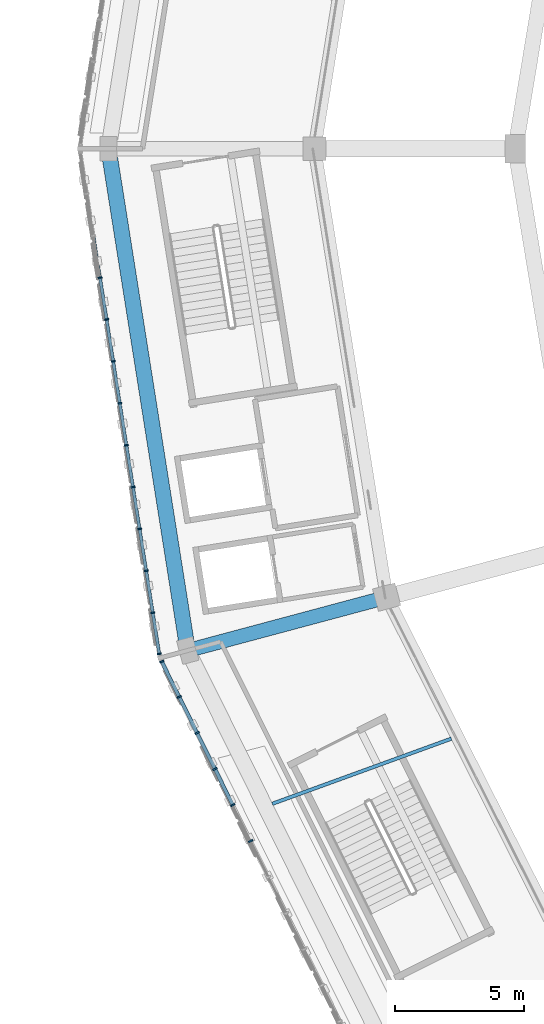
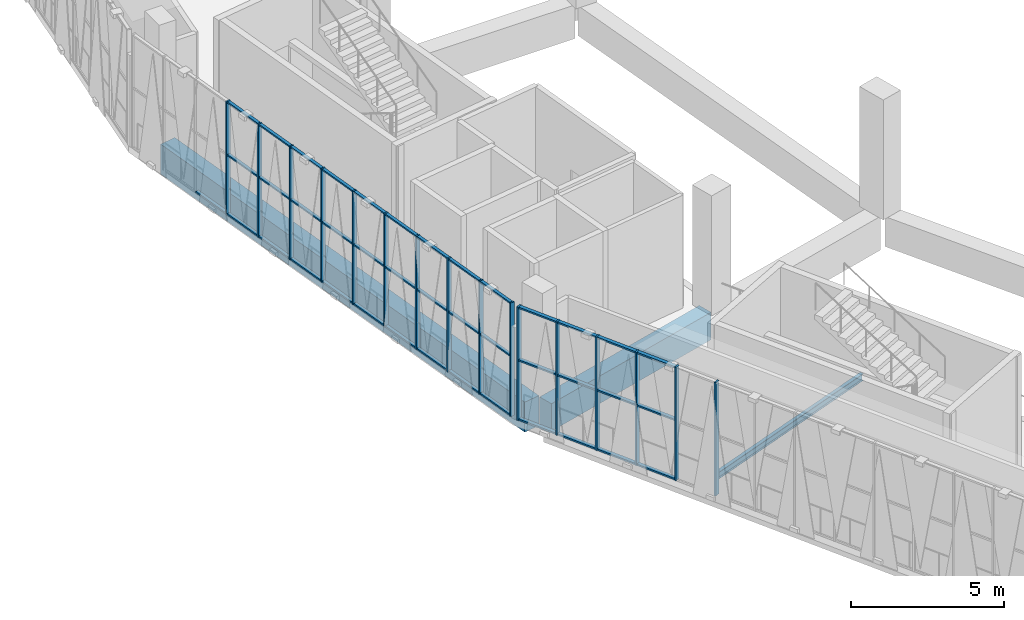
# One storey, part 12 of 108: 56 members, 3 beams, 2 elements without a shape of their own.
"""IFC4 building model written with IfcOpenShell, lengths in metres."""

from ifc_helpers import new_model, si_unit, direction, frame, origin, origin_2d, place, context, subcontext, project, spatial, rectangle, i_section, extrude, material, material_profile, profile_set, type_object, element, aggregate, save


model = new_model("IFC4")

# Units and contexts
model_context = context("Model", 3, precision=1e-05, world=origin(), true_north=direction((0.0, 1.0)))
body_context = subcontext(model_context, "Body", "Model", "MODEL_VIEW")
ifc_project = project(units=[si_unit("LENGTHUNIT", "METRE"), si_unit("AREAUNIT", "SQUARE_METRE"), si_unit("VOLUMEUNIT", "CUBIC_METRE"), si_unit("PLANEANGLEUNIT", "RADIAN"), si_unit("MASSUNIT", "GRAM", prefix="KILO")], contexts=[model_context])

# Site, building, storey
site_placement = place(None, origin())
site = spatial("IfcSite", under=ifc_project, at=site_placement, CompositionType="ELEMENT")
building_placement = place(site_placement, origin())
building = spatial("IfcBuilding", under=site, at=building_placement, Name="Zevraka Park Crest Stadium", CompositionType="ELEMENT")
storey_placement = place(building_placement, frame((0.0, 0.0, 19.800048828125)))
storey = spatial("IfcBuildingStorey", under=building, at=storey_placement, Name="L04", CompositionType="ELEMENT", Elevation=19.800048828125)

# Beam
ifc_material_1 = material(Name="Concrete C40/50", Category="concrete")
ifc_material_profile_1 = material_profile(ifc_material_1, rectangle(XDim=0.550048828125, YDim=1.10009765625, at=origin_2d()), Name="RC 1100x550")
ifc_profile_set_1 = profile_set([ifc_material_profile_1], Name="Concrete C40/50")
beam_type_1 = type_object("IfcBeamType", Name="BG02", PredefinedType="BEAM", material=ifc_profile_set_1)
beam_1_placement = place(storey_placement, frame((32.214111328125, 74.5029296875, -0.56005859375), z_axis=(-0.965968812251, -0.258658565986, 0.0), x_axis=(0.258658565986, -0.965968812251, 0.0)))
element("IfcBeam", 1, at=beam_1_placement, inside=storey, type_object=beam_type_1, Name="Radial Girder BG02 L04-CD-13", PredefinedType="BEAM", context=body_context, shape_type="SweptSolid", body=[
    extrude(rectangle(XDim=0.550048828125, YDim=1.10009765625, at=origin_2d()), origin(), (0.0, 0.0, 1.0), 7.39892578125),
])

# Curtain wall, members
ifc_material_2 = material(Name="Anodised architectural aluminium and laminated safety glass", Category="aluminium")
curtain_wall_type_1 = type_object("IfcCurtainWallType", Name="CW16", PredefinedType="NOTDEFINED", material=ifc_material_2)
curtain_wall_1_placement = place(storey_placement, origin())
curtain_wall_1 = element("IfcCurtainWall", 2, at=curtain_wall_1_placement, inside=storey, type_object=curtain_wall_type_1, Name="Unitised Ring Curtain Wall CW16 L04-12", PredefinedType="NOTDEFINED")
ifc_material_3 = material(Name="Anodised architectural aluminium", Category="aluminium")
ifc_material_profile_2 = material_profile(ifc_material_3, rectangle(XDim=0.159912109375, YDim=0.06005859375, at=origin_2d()), Name="ALU MULLION 160x60")
ifc_profile_set_2 = profile_set([ifc_material_profile_2], Name="Anodised architectural aluminium")
member_type_1 = type_object("IfcMemberType", Name="CM01", PredefinedType="MULLION", material=ifc_profile_set_2)
member_1_placement = place(storey_placement, frame((21.369384765625, 86.9931640625, 0.0), z_axis=(0.0, 0.0, 1.0), x_axis=(0.987829746281, 0.155539038066, 0.0)))
member_1 = element("IfcMember", 3, at=member_1_placement, type_object=member_type_1, Name="CW16 mullion 4", PredefinedType="MULLION", context=body_context, shape_type="SweptSolid", body=[
    extrude(rectangle(XDim=0.159912109375, YDim=0.06005859375, at=origin_2d()), origin(), (0.0, 0.0, 1.0), 4.5400390625),
])
member_2_placement = place(storey_placement, frame((21.625732421875, 85.366455078125, 0.0), z_axis=(0.0, 0.0, 1.0), x_axis=(0.987829746281, 0.155539038066, 0.0)))
member_2 = element("IfcMember", 4, at=member_2_placement, type_object=member_type_1, Name="CW16 mullion 5", PredefinedType="MULLION", context=body_context, shape_type="SweptSolid", body=[
    extrude(rectangle(XDim=0.159912109375, YDim=0.06005859375, at=origin_2d()), origin(), (0.0, 0.0, 1.0), 4.5400390625),
])
member_3_placement = place(storey_placement, frame((21.8818359375, 83.739501953125, 0.0), z_axis=(0.0, 0.0, 1.0), x_axis=(0.987829746281, 0.155539038066, 0.0)))
member_3 = element("IfcMember", 5, at=member_3_placement, type_object=member_type_1, Name="CW16 mullion 6", PredefinedType="MULLION", context=body_context, shape_type="SweptSolid", body=[
    extrude(rectangle(XDim=0.159912109375, YDim=0.06005859375, at=origin_2d()), origin(), (0.0, 0.0, 1.0), 4.5400390625),
])
member_4_placement = place(storey_placement, frame((22.137939453125, 82.112548828125, 0.0), z_axis=(0.0, 0.0, 1.0), x_axis=(0.987829746281, 0.155539038066, 0.0)))
member_4 = element("IfcMember", 6, at=member_4_placement, type_object=member_type_1, Name="CW16 mullion 7", PredefinedType="MULLION", context=body_context, shape_type="SweptSolid", body=[
    extrude(rectangle(XDim=0.159912109375, YDim=0.06005859375, at=origin_2d()), origin(), (0.0, 0.0, 1.0), 4.5400390625),
])
member_5_placement = place(storey_placement, frame((22.394287109375, 80.485595703125, 0.0), z_axis=(0.0, 0.0, 1.0), x_axis=(0.987829746281, 0.155539038066, 0.0)))
member_5 = element("IfcMember", 7, at=member_5_placement, type_object=member_type_1, Name="CW16 mullion 8", PredefinedType="MULLION", context=body_context, shape_type="SweptSolid", body=[
    extrude(rectangle(XDim=0.159912109375, YDim=0.06005859375, at=origin_2d()), origin(), (0.0, 0.0, 1.0), 4.5400390625),
])
member_6_placement = place(storey_placement, frame((22.650390625, 78.858642578125, 0.0), z_axis=(0.0, 0.0, 1.0), x_axis=(0.987829746281, 0.155539038066, 0.0)))
member_6 = element("IfcMember", 8, at=member_6_placement, type_object=member_type_1, Name="CW16 mullion 9", PredefinedType="MULLION", context=body_context, shape_type="SweptSolid", body=[
    extrude(rectangle(XDim=0.159912109375, YDim=0.06005859375, at=origin_2d()), origin(), (0.0, 0.0, 1.0), 4.5400390625),
])
member_7_placement = place(storey_placement, frame((22.906494140625, 77.231689453125, 0.0), z_axis=(0.0, 0.0, 1.0), x_axis=(0.987829746281, 0.155539038066, 0.0)))
member_7 = element("IfcMember", 9, at=member_7_placement, type_object=member_type_1, Name="CW16 mullion 10", PredefinedType="MULLION", context=body_context, shape_type="SweptSolid", body=[
    extrude(rectangle(XDim=0.159912109375, YDim=0.06005859375, at=origin_2d()), origin(), (0.0, 0.0, 1.0), 4.5400390625),
])
member_8_placement = place(storey_placement, frame((23.16259765625, 75.604736328125, 0.0), z_axis=(0.0, 0.0, 1.0), x_axis=(0.987829746281, 0.155539038066, 0.0)))
member_8 = element("IfcMember", 10, at=member_8_placement, type_object=member_type_1, Name="CW16 mullion 11", PredefinedType="MULLION", context=body_context, shape_type="SweptSolid", body=[
    extrude(rectangle(XDim=0.159912109375, YDim=0.06005859375, at=origin_2d()), origin(), (0.0, 0.0, 1.0), 4.5400390625),
])
member_9_placement = place(storey_placement, frame((23.4189453125, 73.97802734375, 0.0), z_axis=(0.0, 0.0, 1.0), x_axis=(0.987829746281, 0.155539038066, 0.0)))
member_9 = element("IfcMember", 11, at=member_9_placement, type_object=member_type_1, Name="CW16 mullion 12", PredefinedType="MULLION", context=body_context, shape_type="SweptSolid", body=[
    extrude(rectangle(XDim=0.159912109375, YDim=0.06005859375, at=origin_2d()), origin(), (0.0, 0.0, 1.0), 4.5400390625),
])
member_10_placement = place(storey_placement, frame((23.67041015625, 72.380615234375, 0.0), z_axis=(0.0, 0.0, 1.0), x_axis=(0.987829746281, 0.155539038066, 0.0)))
member_10 = element("IfcMember", 12, at=member_10_placement, type_object=member_type_1, Name="CW16 mullion 13", PredefinedType="MULLION", context=body_context, shape_type="SweptSolid", body=[
    extrude(rectangle(XDim=0.159912109375, YDim=0.06005859375, at=origin_2d()), origin(), (0.0, 0.0, 1.0), 4.5400390625),
])

ifc_material_4 = material(Name="Anodised architectural aluminium and laminated safety glass", Category="aluminium")
curtain_wall_type_2 = type_object("IfcCurtainWallType", Name="CW17", PredefinedType="NOTDEFINED", material=ifc_material_4)
curtain_wall_2_placement = place(storey_placement, origin())
curtain_wall_2 = element("IfcCurtainWall", 13, at=curtain_wall_2_placement, inside=storey, type_object=curtain_wall_type_2, Name="Unitised Ring Curtain Wall CW17 L04-13", PredefinedType="NOTDEFINED")
ifc_material_5 = material(Name="Anodised architectural aluminium", Category="aluminium")
ifc_material_profile_3 = material_profile(ifc_material_5, rectangle(XDim=0.179931640625, YDim=0.06494140625, at=origin_2d()), Name="ALU MULLION 180x65")
ifc_profile_set_3 = profile_set([ifc_material_profile_3], Name="Anodised architectural aluminium")
member_type_2 = type_object("IfcMemberType", Name="CM02", PredefinedType="MULLION", material=ifc_profile_set_3)
member_11_placement = place(storey_placement, frame((23.766357421875, 72.080810546875, 0.0), z_axis=(0.0, 0.0, 1.0), x_axis=(0.896046076106, 0.443961067545, 0.0)))
member_11 = element("IfcMember", 14, at=member_11_placement, type_object=member_type_2, Name="CW17 mullion 1", PredefinedType="MULLION", context=body_context, shape_type="SweptSolid", body=[
    extrude(rectangle(XDim=0.179931640625, YDim=0.06494140625, at=origin_2d()), origin(), (0.0, 0.0, 1.0), 4.5400390625),
])
member_12_placement = place(storey_placement, frame((24.445556640625, 70.7099609375, 0.0), z_axis=(0.0, 0.0, 1.0), x_axis=(0.896046076106, 0.443961067545, 0.0)))
member_12 = element("IfcMember", 15, at=member_12_placement, type_object=member_type_2, Name="CW17 mullion 2", PredefinedType="MULLION", context=body_context, shape_type="SweptSolid", body=[
    extrude(rectangle(XDim=0.179931640625, YDim=0.06494140625, at=origin_2d()), origin(), (0.0, 0.0, 1.0), 4.5400390625),
])
member_13_placement = place(storey_placement, frame((25.13916015625, 69.31005859375, 0.0), z_axis=(0.0, 0.0, 1.0), x_axis=(0.896046076106, 0.443961067545, 0.0)))
member_13 = element("IfcMember", 16, at=member_13_placement, type_object=member_type_2, Name="CW17 mullion 3", PredefinedType="MULLION", context=body_context, shape_type="SweptSolid", body=[
    extrude(rectangle(XDim=0.179931640625, YDim=0.06494140625, at=origin_2d()), origin(), (0.0, 0.0, 1.0), 4.5400390625),
])
member_14_placement = place(storey_placement, frame((25.832763671875, 67.91015625, 0.0), z_axis=(0.0, 0.0, 1.0), x_axis=(0.896046076106, 0.443961067545, 0.0)))
member_14 = element("IfcMember", 17, at=member_14_placement, type_object=member_type_2, Name="CW17 mullion 4", PredefinedType="MULLION", context=body_context, shape_type="SweptSolid", body=[
    extrude(rectangle(XDim=0.179931640625, YDim=0.06494140625, at=origin_2d()), origin(), (0.0, 0.0, 1.0), 4.5400390625),
])
member_15_placement = place(storey_placement, frame((26.5263671875, 66.51025390625, 0.0), z_axis=(0.0, 0.0, 1.0), x_axis=(0.896046076106, 0.443961067545, 0.0)))
member_15 = element("IfcMember", 18, at=member_15_placement, type_object=member_type_2, Name="CW17 mullion 5", PredefinedType="MULLION", context=body_context, shape_type="SweptSolid", body=[
    extrude(rectangle(XDim=0.179931640625, YDim=0.06494140625, at=origin_2d()), origin(), (0.0, 0.0, 1.0), 4.5400390625),
])
member_16_placement = place(storey_placement, frame((27.219970703125, 65.1103515625, 0.0), z_axis=(0.0, 0.0, 1.0), x_axis=(0.896046076106, 0.443961067545, 0.0)))
member_16 = element("IfcMember", 19, at=member_16_placement, type_object=member_type_2, Name="CW17 mullion 6", PredefinedType="MULLION", context=body_context, shape_type="SweptSolid", body=[
    extrude(rectangle(XDim=0.179931640625, YDim=0.06494140625, at=origin_2d()), origin(), (0.0, 0.0, 1.0), 4.5400390625),
])

# Member
ifc_material_6 = material(Name="Anodised architectural aluminium", Category="aluminium")
ifc_material_profile_4 = material_profile(ifc_material_6, rectangle(XDim=0.1201171875, YDim=0.06005859375, at=origin_2d()), Name="ALU TRANSOM 120x60")
ifc_profile_set_4 = profile_set([ifc_material_profile_4], Name="Anodised architectural aluminium")
member_type_3 = type_object("IfcMemberType", Name="CT01", PredefinedType="USERDEFINED", material=ifc_profile_set_4)
member_17_placement = place(storey_placement, frame((21.117919921875, 88.590576171875, 0.030029296875), z_axis=(0.155535954577, -0.987830231788, 0.0), x_axis=(0.987830231788, 0.155535954577, 0.0)))
member_17 = element("IfcMember", 20, at=member_17_placement, type_object=member_type_3, Name="CW16 transom 3.1", ObjectType="TRANSOM", PredefinedType="USERDEFINED", context=body_context, shape_type="SweptSolid", body=[
    extrude(rectangle(XDim=0.1201171875, YDim=0.06005859375, at=origin_2d()), origin(), (0.0, 0.0, 1.0), 1.5869140625),
])

member_18_placement = place(storey_placement, frame((21.374267578125, 86.963623046875, 0.030029296875), z_axis=(0.155535954577, -0.987830231788, 0.0), x_axis=(0.987830231788, 0.155535954577, 0.0)))
member_18 = element("IfcMember", 21, at=member_18_placement, type_object=member_type_3, Name="CW16 transom 4.1", ObjectType="TRANSOM", PredefinedType="USERDEFINED", context=body_context, shape_type="SweptSolid", body=[
    extrude(rectangle(XDim=0.1201171875, YDim=0.06005859375, at=origin_2d()), origin(), (0.0, 0.0, 1.0), 1.5869140625),
])

member_19_placement = place(storey_placement, frame((21.374267578125, 86.963623046875, 2.39990234375), z_axis=(0.155535954577, -0.987830231788, 0.0), x_axis=(0.987830231788, 0.155535954577, 0.0)))
member_19 = element("IfcMember", 22, at=member_19_placement, type_object=member_type_3, Name="CW16 transom 4.2", ObjectType="TRANSOM", PredefinedType="USERDEFINED", context=body_context, shape_type="SweptSolid", body=[
    extrude(rectangle(XDim=0.1201171875, YDim=0.06005859375, at=origin_2d()), origin(), (0.0, 0.0, 1.0), 1.5869140625),
])

member_20_placement = place(storey_placement, frame((21.374267578125, 86.963623046875, 4.510009765625), z_axis=(0.155535954577, -0.987830231788, 0.0), x_axis=(0.987830231788, 0.155535954577, 0.0)))
member_20 = element("IfcMember", 23, at=member_20_placement, type_object=member_type_3, Name="CW16 transom 4.3", ObjectType="TRANSOM", PredefinedType="USERDEFINED", context=body_context, shape_type="SweptSolid", body=[
    extrude(rectangle(XDim=0.1201171875, YDim=0.06005859375, at=origin_2d()), origin(), (0.0, 0.0, 1.0), 1.5869140625),
])

member_21_placement = place(storey_placement, frame((21.63037109375, 85.336669921875, 0.030029296875), z_axis=(0.155535954577, -0.987830231788, 0.0), x_axis=(0.987830231788, 0.155535954577, 0.0)))
member_21 = element("IfcMember", 24, at=member_21_placement, type_object=member_type_3, Name="CW16 transom 5.1", ObjectType="TRANSOM", PredefinedType="USERDEFINED", context=body_context, shape_type="SweptSolid", body=[
    extrude(rectangle(XDim=0.1201171875, YDim=0.06005859375, at=origin_2d()), origin(), (0.0, 0.0, 1.0), 1.5869140625),
])

member_22_placement = place(storey_placement, frame((21.63037109375, 85.336669921875, 2.39990234375), z_axis=(0.155535954577, -0.987830231788, 0.0), x_axis=(0.987830231788, 0.155535954577, 0.0)))
member_22 = element("IfcMember", 25, at=member_22_placement, type_object=member_type_3, Name="CW16 transom 5.2", ObjectType="TRANSOM", PredefinedType="USERDEFINED", context=body_context, shape_type="SweptSolid", body=[
    extrude(rectangle(XDim=0.1201171875, YDim=0.06005859375, at=origin_2d()), origin(), (0.0, 0.0, 1.0), 1.5869140625),
])

member_23_placement = place(storey_placement, frame((21.63037109375, 85.336669921875, 4.510009765625), z_axis=(0.155535954577, -0.987830231788, 0.0), x_axis=(0.987830231788, 0.155535954577, 0.0)))
member_23 = element("IfcMember", 26, at=member_23_placement, type_object=member_type_3, Name="CW16 transom 5.3", ObjectType="TRANSOM", PredefinedType="USERDEFINED", context=body_context, shape_type="SweptSolid", body=[
    extrude(rectangle(XDim=0.1201171875, YDim=0.06005859375, at=origin_2d()), origin(), (0.0, 0.0, 1.0), 1.5869140625),
])

member_24_placement = place(storey_placement, frame((21.886474609375, 83.709716796875, 0.030029296875), z_axis=(0.155535954577, -0.987830231788, 0.0), x_axis=(0.987830231788, 0.155535954577, 0.0)))
member_24 = element("IfcMember", 27, at=member_24_placement, type_object=member_type_3, Name="CW16 transom 6.1", ObjectType="TRANSOM", PredefinedType="USERDEFINED", context=body_context, shape_type="SweptSolid", body=[
    extrude(rectangle(XDim=0.1201171875, YDim=0.06005859375, at=origin_2d()), origin(), (0.0, 0.0, 1.0), 1.5869140625),
])

member_25_placement = place(storey_placement, frame((21.886474609375, 83.709716796875, 2.39990234375), z_axis=(0.155535954577, -0.987830231788, 0.0), x_axis=(0.987830231788, 0.155535954577, 0.0)))
member_25 = element("IfcMember", 28, at=member_25_placement, type_object=member_type_3, Name="CW16 transom 6.2", ObjectType="TRANSOM", PredefinedType="USERDEFINED", context=body_context, shape_type="SweptSolid", body=[
    extrude(rectangle(XDim=0.1201171875, YDim=0.06005859375, at=origin_2d()), origin(), (0.0, 0.0, 1.0), 1.5869140625),
])

member_26_placement = place(storey_placement, frame((21.886474609375, 83.709716796875, 4.510009765625), z_axis=(0.155535954577, -0.987830231788, 0.0), x_axis=(0.987830231788, 0.155535954577, 0.0)))
member_26 = element("IfcMember", 29, at=member_26_placement, type_object=member_type_3, Name="CW16 transom 6.3", ObjectType="TRANSOM", PredefinedType="USERDEFINED", context=body_context, shape_type="SweptSolid", body=[
    extrude(rectangle(XDim=0.1201171875, YDim=0.06005859375, at=origin_2d()), origin(), (0.0, 0.0, 1.0), 1.5869140625),
])

member_27_placement = place(storey_placement, frame((22.142578125, 82.082763671875, 0.030029296875), z_axis=(0.155535954577, -0.987830231788, 0.0), x_axis=(0.987830231788, 0.155535954577, 0.0)))
member_27 = element("IfcMember", 30, at=member_27_placement, type_object=member_type_3, Name="CW16 transom 7.1", ObjectType="TRANSOM", PredefinedType="USERDEFINED", context=body_context, shape_type="SweptSolid", body=[
    extrude(rectangle(XDim=0.1201171875, YDim=0.06005859375, at=origin_2d()), origin(), (0.0, 0.0, 1.0), 1.5869140625),
])

member_28_placement = place(storey_placement, frame((22.142578125, 82.082763671875, 2.39990234375), z_axis=(0.155535954577, -0.987830231788, 0.0), x_axis=(0.987830231788, 0.155535954577, 0.0)))
member_28 = element("IfcMember", 31, at=member_28_placement, type_object=member_type_3, Name="CW16 transom 7.2", ObjectType="TRANSOM", PredefinedType="USERDEFINED", context=body_context, shape_type="SweptSolid", body=[
    extrude(rectangle(XDim=0.1201171875, YDim=0.06005859375, at=origin_2d()), origin(), (0.0, 0.0, 1.0), 1.5869140625),
])

member_29_placement = place(storey_placement, frame((22.142578125, 82.082763671875, 4.510009765625), z_axis=(0.155535954577, -0.987830231788, 0.0), x_axis=(0.987830231788, 0.155535954577, 0.0)))
member_29 = element("IfcMember", 32, at=member_29_placement, type_object=member_type_3, Name="CW16 transom 7.3", ObjectType="TRANSOM", PredefinedType="USERDEFINED", context=body_context, shape_type="SweptSolid", body=[
    extrude(rectangle(XDim=0.1201171875, YDim=0.06005859375, at=origin_2d()), origin(), (0.0, 0.0, 1.0), 1.5869140625),
])

member_30_placement = place(storey_placement, frame((22.39892578125, 80.4560546875, 0.030029296875), z_axis=(0.155512321102, -0.987833952639, 0.0), x_axis=(0.987833952639, 0.155512321102, 0.0)))
member_30 = element("IfcMember", 33, at=member_30_placement, type_object=member_type_3, Name="CW16 transom 8.1", ObjectType="TRANSOM", PredefinedType="USERDEFINED", context=body_context, shape_type="SweptSolid", body=[
    extrude(rectangle(XDim=0.1201171875, YDim=0.06005859375, at=origin_2d()), origin(), (0.0, 0.0, 1.0), 1.587158203125),
])

member_31_placement = place(storey_placement, frame((22.39892578125, 80.4560546875, 2.39990234375), z_axis=(0.155512321102, -0.987833952639, 0.0), x_axis=(0.987833952639, 0.155512321102, 0.0)))
member_31 = element("IfcMember", 34, at=member_31_placement, type_object=member_type_3, Name="CW16 transom 8.2", ObjectType="TRANSOM", PredefinedType="USERDEFINED", context=body_context, shape_type="SweptSolid", body=[
    extrude(rectangle(XDim=0.1201171875, YDim=0.06005859375, at=origin_2d()), origin(), (0.0, 0.0, 1.0), 1.587158203125),
])

member_32_placement = place(storey_placement, frame((22.39892578125, 80.4560546875, 4.510009765625), z_axis=(0.155512321102, -0.987833952639, 0.0), x_axis=(0.987833952639, 0.155512321102, 0.0)))
member_32 = element("IfcMember", 35, at=member_32_placement, type_object=member_type_3, Name="CW16 transom 8.3", ObjectType="TRANSOM", PredefinedType="USERDEFINED", context=body_context, shape_type="SweptSolid", body=[
    extrude(rectangle(XDim=0.1201171875, YDim=0.06005859375, at=origin_2d()), origin(), (0.0, 0.0, 1.0), 1.587158203125),
])

member_33_placement = place(storey_placement, frame((22.655029296875, 78.8291015625, 0.030029296875), z_axis=(0.155535954577, -0.987830231788, 0.0), x_axis=(0.987830231788, 0.155535954577, 0.0)))
member_33 = element("IfcMember", 36, at=member_33_placement, type_object=member_type_3, Name="CW16 transom 9.1", ObjectType="TRANSOM", PredefinedType="USERDEFINED", context=body_context, shape_type="SweptSolid", body=[
    extrude(rectangle(XDim=0.1201171875, YDim=0.06005859375, at=origin_2d()), origin(), (0.0, 0.0, 1.0), 1.5869140625),
])

member_34_placement = place(storey_placement, frame((22.655029296875, 78.8291015625, 2.39990234375), z_axis=(0.155535954577, -0.987830231788, 0.0), x_axis=(0.987830231788, 0.155535954577, 0.0)))
member_34 = element("IfcMember", 37, at=member_34_placement, type_object=member_type_3, Name="CW16 transom 9.2", ObjectType="TRANSOM", PredefinedType="USERDEFINED", context=body_context, shape_type="SweptSolid", body=[
    extrude(rectangle(XDim=0.1201171875, YDim=0.06005859375, at=origin_2d()), origin(), (0.0, 0.0, 1.0), 1.5869140625),
])

member_35_placement = place(storey_placement, frame((22.655029296875, 78.8291015625, 4.510009765625), z_axis=(0.155535954577, -0.987830231788, 0.0), x_axis=(0.987830231788, 0.155535954577, 0.0)))
member_35 = element("IfcMember", 38, at=member_35_placement, type_object=member_type_3, Name="CW16 transom 9.3", ObjectType="TRANSOM", PredefinedType="USERDEFINED", context=body_context, shape_type="SweptSolid", body=[
    extrude(rectangle(XDim=0.1201171875, YDim=0.06005859375, at=origin_2d()), origin(), (0.0, 0.0, 1.0), 1.5869140625),
])

member_36_placement = place(storey_placement, frame((22.9111328125, 77.2021484375, 0.030029296875), z_axis=(0.155535954577, -0.987830231788, 0.0), x_axis=(0.987830231788, 0.155535954577, 0.0)))
member_36 = element("IfcMember", 39, at=member_36_placement, type_object=member_type_3, Name="CW16 transom 10.1", ObjectType="TRANSOM", PredefinedType="USERDEFINED", context=body_context, shape_type="SweptSolid", body=[
    extrude(rectangle(XDim=0.1201171875, YDim=0.06005859375, at=origin_2d()), origin(), (0.0, 0.0, 1.0), 1.5869140625),
])

member_37_placement = place(storey_placement, frame((22.9111328125, 77.2021484375, 2.39990234375), z_axis=(0.155535954577, -0.987830231788, 0.0), x_axis=(0.987830231788, 0.155535954577, 0.0)))
member_37 = element("IfcMember", 40, at=member_37_placement, type_object=member_type_3, Name="CW16 transom 10.2", ObjectType="TRANSOM", PredefinedType="USERDEFINED", context=body_context, shape_type="SweptSolid", body=[
    extrude(rectangle(XDim=0.1201171875, YDim=0.06005859375, at=origin_2d()), origin(), (0.0, 0.0, 1.0), 1.5869140625),
])

member_38_placement = place(storey_placement, frame((22.9111328125, 77.2021484375, 4.510009765625), z_axis=(0.155535954577, -0.987830231788, 0.0), x_axis=(0.987830231788, 0.155535954577, 0.0)))
member_38 = element("IfcMember", 41, at=member_38_placement, type_object=member_type_3, Name="CW16 transom 10.3", ObjectType="TRANSOM", PredefinedType="USERDEFINED", context=body_context, shape_type="SweptSolid", body=[
    extrude(rectangle(XDim=0.1201171875, YDim=0.06005859375, at=origin_2d()), origin(), (0.0, 0.0, 1.0), 1.5869140625),
])

member_39_placement = place(storey_placement, frame((23.167236328125, 75.5751953125, 0.030029296875), z_axis=(0.155535954577, -0.987830231788, 0.0), x_axis=(0.987830231788, 0.155535954577, 0.0)))
member_39 = element("IfcMember", 42, at=member_39_placement, type_object=member_type_3, Name="CW16 transom 11.1", ObjectType="TRANSOM", PredefinedType="USERDEFINED", context=body_context, shape_type="SweptSolid", body=[
    extrude(rectangle(XDim=0.1201171875, YDim=0.06005859375, at=origin_2d()), origin(), (0.0, 0.0, 1.0), 1.5869140625),
])

member_40_placement = place(storey_placement, frame((23.167236328125, 75.5751953125, 2.39990234375), z_axis=(0.155535954577, -0.987830231788, 0.0), x_axis=(0.987830231788, 0.155535954577, 0.0)))
member_40 = element("IfcMember", 43, at=member_40_placement, type_object=member_type_3, Name="CW16 transom 11.2", ObjectType="TRANSOM", PredefinedType="USERDEFINED", context=body_context, shape_type="SweptSolid", body=[
    extrude(rectangle(XDim=0.1201171875, YDim=0.06005859375, at=origin_2d()), origin(), (0.0, 0.0, 1.0), 1.5869140625),
])

member_41_placement = place(storey_placement, frame((23.167236328125, 75.5751953125, 4.510009765625), z_axis=(0.155535954577, -0.987830231788, 0.0), x_axis=(0.987830231788, 0.155535954577, 0.0)))
member_41 = element("IfcMember", 44, at=member_41_placement, type_object=member_type_3, Name="CW16 transom 11.3", ObjectType="TRANSOM", PredefinedType="USERDEFINED", context=body_context, shape_type="SweptSolid", body=[
    extrude(rectangle(XDim=0.1201171875, YDim=0.06005859375, at=origin_2d()), origin(), (0.0, 0.0, 1.0), 1.5869140625),
])

member_42_placement = place(storey_placement, frame((23.423583984375, 73.9482421875, 0.030029296875), z_axis=(0.155543865752, -0.987828986124, 0.0), x_axis=(0.987828986124, 0.155543865752, 0.0)))
member_42 = element("IfcMember", 45, at=member_42_placement, type_object=member_type_3, Name="CW16 transom 12.1", ObjectType="TRANSOM", PredefinedType="USERDEFINED", context=body_context, shape_type="SweptSolid", body=[
    extrude(rectangle(XDim=0.1201171875, YDim=0.06005859375, at=origin_2d()), origin(), (0.0, 0.0, 1.0), 1.55712890625),
])

member_43_placement = place(storey_placement, frame((23.423583984375, 73.9482421875, 2.39990234375), z_axis=(0.155543865752, -0.987828986124, 0.0), x_axis=(0.987828986124, 0.155543865752, 0.0)))
member_43 = element("IfcMember", 46, at=member_43_placement, type_object=member_type_3, Name="CW16 transom 12.2", ObjectType="TRANSOM", PredefinedType="USERDEFINED", context=body_context, shape_type="SweptSolid", body=[
    extrude(rectangle(XDim=0.1201171875, YDim=0.06005859375, at=origin_2d()), origin(), (0.0, 0.0, 1.0), 1.55712890625),
])

member_44_placement = place(storey_placement, frame((23.423583984375, 73.9482421875, 4.510009765625), z_axis=(0.155543865752, -0.987828986124, 0.0), x_axis=(0.987828986124, 0.155543865752, 0.0)))
member_44 = element("IfcMember", 47, at=member_44_placement, type_object=member_type_3, Name="CW16 transom 12.3", ObjectType="TRANSOM", PredefinedType="USERDEFINED", context=body_context, shape_type="SweptSolid", body=[
    extrude(rectangle(XDim=0.1201171875, YDim=0.06005859375, at=origin_2d()), origin(), (0.0, 0.0, 1.0), 1.55712890625),
])

aggregate(curtain_wall_1, [member_1, member_2, member_3, member_4, member_5, member_6, member_7, member_8, member_9, member_10, member_17, member_18, member_19, member_20, member_21, member_22, member_23, member_24, member_25, member_26, member_27, member_28, member_29, member_30, member_31, member_32, member_33, member_34, member_35, member_36, member_37, member_38, member_39, member_40, member_41, member_42, member_43, member_44])

ifc_material_7 = material(Name="Anodised architectural aluminium", Category="aluminium")
ifc_material_profile_5 = material_profile(ifc_material_7, rectangle(XDim=0.139892578125, YDim=0.06494140625, at=origin_2d()), Name="ALU TRANSOM 140x65")
ifc_profile_set_5 = profile_set([ifc_material_profile_5], Name="Anodised architectural aluminium")
member_type_4 = type_object("IfcMemberType", Name="CT02", PredefinedType="USERDEFINED", material=ifc_profile_set_5)
member_45_placement = place(storey_placement, frame((23.78076171875, 72.0517578125, 0.032470703125), z_axis=(0.444010656384, -0.896021504774, 0.0), x_axis=(0.896021504774, 0.444010656384, 0.0)))
member_45 = element("IfcMember", 48, at=member_45_placement, type_object=member_type_4, Name="CW17 transom 1.1", ObjectType="TRANSOM", PredefinedType="USERDEFINED", context=body_context, shape_type="SweptSolid", body=[
    extrude(rectangle(XDim=0.139892578125, YDim=0.06494140625, at=origin_2d()), origin(), (0.0, 0.0, 1.0), 1.46484375),
])

member_46_placement = place(storey_placement, frame((23.78076171875, 72.0517578125, 2.39990234375), z_axis=(0.444010656384, -0.896021504774, 0.0), x_axis=(0.896021504774, 0.444010656384, 0.0)))
member_46 = element("IfcMember", 49, at=member_46_placement, type_object=member_type_4, Name="CW17 transom 1.2", ObjectType="TRANSOM", PredefinedType="USERDEFINED", context=body_context, shape_type="SweptSolid", body=[
    extrude(rectangle(XDim=0.139892578125, YDim=0.06494140625, at=origin_2d()), origin(), (0.0, 0.0, 1.0), 1.46484375),
])

member_47_placement = place(storey_placement, frame((23.78076171875, 72.0517578125, 4.507568359375), z_axis=(0.444010656384, -0.896021504774, 0.0), x_axis=(0.896021504774, 0.444010656384, 0.0)))
member_47 = element("IfcMember", 50, at=member_47_placement, type_object=member_type_4, Name="CW17 transom 1.3", ObjectType="TRANSOM", PredefinedType="USERDEFINED", context=body_context, shape_type="SweptSolid", body=[
    extrude(rectangle(XDim=0.139892578125, YDim=0.06494140625, at=origin_2d()), origin(), (0.0, 0.0, 1.0), 1.46484375),
])

member_48_placement = place(storey_placement, frame((24.4599609375, 70.680908203125, 0.032470703125), z_axis=(0.444014747446, -0.896019477495, 0.0), x_axis=(0.896019477495, 0.444014747446, 0.0)))
member_48 = element("IfcMember", 51, at=member_48_placement, type_object=member_type_4, Name="CW17 transom 2.1", ObjectType="TRANSOM", PredefinedType="USERDEFINED", context=body_context, shape_type="SweptSolid", body=[
    extrude(rectangle(XDim=0.139892578125, YDim=0.06494140625, at=origin_2d()), origin(), (0.0, 0.0, 1.0), 1.497314453125),
])

member_49_placement = place(storey_placement, frame((24.4599609375, 70.680908203125, 2.39990234375), z_axis=(0.444014747446, -0.896019477495, 0.0), x_axis=(0.896019477495, 0.444014747446, 0.0)))
member_49 = element("IfcMember", 52, at=member_49_placement, type_object=member_type_4, Name="CW17 transom 2.2", ObjectType="TRANSOM", PredefinedType="USERDEFINED", context=body_context, shape_type="SweptSolid", body=[
    extrude(rectangle(XDim=0.139892578125, YDim=0.06494140625, at=origin_2d()), origin(), (0.0, 0.0, 1.0), 1.497314453125),
])

member_50_placement = place(storey_placement, frame((24.4599609375, 70.680908203125, 4.507568359375), z_axis=(0.444014747446, -0.896019477495, 0.0), x_axis=(0.896019477495, 0.444014747446, 0.0)))
member_50 = element("IfcMember", 53, at=member_50_placement, type_object=member_type_4, Name="CW17 transom 2.3", ObjectType="TRANSOM", PredefinedType="USERDEFINED", context=body_context, shape_type="SweptSolid", body=[
    extrude(rectangle(XDim=0.139892578125, YDim=0.06494140625, at=origin_2d()), origin(), (0.0, 0.0, 1.0), 1.497314453125),
])

member_51_placement = place(storey_placement, frame((25.153564453125, 69.281005859375, 0.032470703125), z_axis=(0.444014747446, -0.896019477495, 0.0), x_axis=(0.896019477495, 0.444014747446, 0.0)))
member_51 = element("IfcMember", 54, at=member_51_placement, type_object=member_type_4, Name="CW17 transom 3.1", ObjectType="TRANSOM", PredefinedType="USERDEFINED", context=body_context, shape_type="SweptSolid", body=[
    extrude(rectangle(XDim=0.139892578125, YDim=0.06494140625, at=origin_2d()), origin(), (0.0, 0.0, 1.0), 1.497314453125),
])

member_52_placement = place(storey_placement, frame((25.153564453125, 69.281005859375, 2.39990234375), z_axis=(0.444014747446, -0.896019477495, 0.0), x_axis=(0.896019477495, 0.444014747446, 0.0)))
member_52 = element("IfcMember", 55, at=member_52_placement, type_object=member_type_4, Name="CW17 transom 3.2", ObjectType="TRANSOM", PredefinedType="USERDEFINED", context=body_context, shape_type="SweptSolid", body=[
    extrude(rectangle(XDim=0.139892578125, YDim=0.06494140625, at=origin_2d()), origin(), (0.0, 0.0, 1.0), 1.497314453125),
])

member_53_placement = place(storey_placement, frame((25.153564453125, 69.281005859375, 4.507568359375), z_axis=(0.444014747446, -0.896019477495, 0.0), x_axis=(0.896019477495, 0.444014747446, 0.0)))
member_53 = element("IfcMember", 56, at=member_53_placement, type_object=member_type_4, Name="CW17 transom 3.3", ObjectType="TRANSOM", PredefinedType="USERDEFINED", context=body_context, shape_type="SweptSolid", body=[
    extrude(rectangle(XDim=0.139892578125, YDim=0.06494140625, at=origin_2d()), origin(), (0.0, 0.0, 1.0), 1.497314453125),
])

member_54_placement = place(storey_placement, frame((25.84716796875, 67.881103515625, 0.032470703125), z_axis=(0.444014747446, -0.896019477495, 0.0), x_axis=(0.896019477495, 0.444014747446, 0.0)))
member_54 = element("IfcMember", 57, at=member_54_placement, type_object=member_type_4, Name="CW17 transom 4.1", ObjectType="TRANSOM", PredefinedType="USERDEFINED", context=body_context, shape_type="SweptSolid", body=[
    extrude(rectangle(XDim=0.139892578125, YDim=0.06494140625, at=origin_2d()), origin(), (0.0, 0.0, 1.0), 1.497314453125),
])

member_55_placement = place(storey_placement, frame((25.84716796875, 67.881103515625, 2.39990234375), z_axis=(0.444014747446, -0.896019477495, 0.0), x_axis=(0.896019477495, 0.444014747446, 0.0)))
member_55 = element("IfcMember", 58, at=member_55_placement, type_object=member_type_4, Name="CW17 transom 4.2", ObjectType="TRANSOM", PredefinedType="USERDEFINED", context=body_context, shape_type="SweptSolid", body=[
    extrude(rectangle(XDim=0.139892578125, YDim=0.06494140625, at=origin_2d()), origin(), (0.0, 0.0, 1.0), 1.497314453125),
])

member_56_placement = place(storey_placement, frame((25.84716796875, 67.881103515625, 4.507568359375), z_axis=(0.444014747446, -0.896019477495, 0.0), x_axis=(0.896019477495, 0.444014747446, 0.0)))
member_56 = element("IfcMember", 59, at=member_56_placement, type_object=member_type_4, Name="CW17 transom 4.3", ObjectType="TRANSOM", PredefinedType="USERDEFINED", context=body_context, shape_type="SweptSolid", body=[
    extrude(rectangle(XDim=0.139892578125, YDim=0.06494140625, at=origin_2d()), origin(), (0.0, 0.0, 1.0), 1.497314453125),
])

aggregate(curtain_wall_2, [member_11, member_12, member_13, member_14, member_15, member_16, member_45, member_46, member_47, member_48, member_49, member_50, member_51, member_52, member_53, member_54, member_55, member_56])

# Beams
ifc_material_8 = material(Name="Concrete C40/50", Category="concrete")
ifc_material_profile_6 = material_profile(ifc_material_8, rectangle(XDim=0.60009765625, YDim=1.199951171875, at=origin_2d()), Name="RC 1200x600")
ifc_profile_set_6 = profile_set([ifc_material_profile_6], Name="Concrete C40/50")
beam_type_2 = type_object("IfcBeamType", Name="RB01", PredefinedType="BEAM", material=ifc_profile_set_6)
beam_2_placement = place(storey_placement, frame((21.759033203125, 91.625, -0.610107421875), z_axis=(0.155972486086, -0.987761400129, 0.0), x_axis=(0.987761400129, 0.155972486086, 0.0)))
element("IfcBeam", 60, at=beam_2_placement, inside=storey, type_object=beam_type_2, Name="Ring Beam RB01 L04-D-12", PredefinedType="BEAM", context=body_context, shape_type="SweptSolid", body=[
    extrude(rectangle(XDim=0.60009765625, YDim=1.199951171875, at=origin_2d()), origin(), (0.0, 0.0, 1.0), 18.97119140625),
])
ifc_material_9 = material(Name="Steel S355", Category="steel")
ifc_material_profile_7 = material_profile(ifc_material_9, i_section(OverallWidth=0.135009765625, OverallDepth=0.27001953125, WebThickness=0.006591796875, FlangeThickness=0.01025390625, at=origin_2d()), Name="IPE 270")
ifc_profile_set_7 = profile_set([ifc_material_profile_7], Name="Steel S355")
beam_type_3 = type_object("IfcBeamType", Name="SJ07", PredefinedType="JOIST", material=ifc_profile_set_7)
beam_3_placement = place(storey_placement, frame((35.013916015625, 69.0869140625, -0.403076171875), z_axis=(-0.939772225385, -0.341801352243, 0.0), x_axis=(0.341801352243, -0.939772225385, 0.0)))
element("IfcBeam", 61, at=beam_3_placement, inside=storey, type_object=beam_type_3, Name="Floor Joist SJ07 L04-CD-13-1", PredefinedType="JOIST", context=body_context, shape_type="SweptSolid", body=[
    extrude(i_section(OverallWidth=0.135009765625, OverallDepth=0.27001953125, WebThickness=0.006591796875, FlangeThickness=0.01025390625, at=origin_2d()), origin(), (0.0, 0.0, 1.0), 7.3984375),
])

save(model, "model.ifc")
